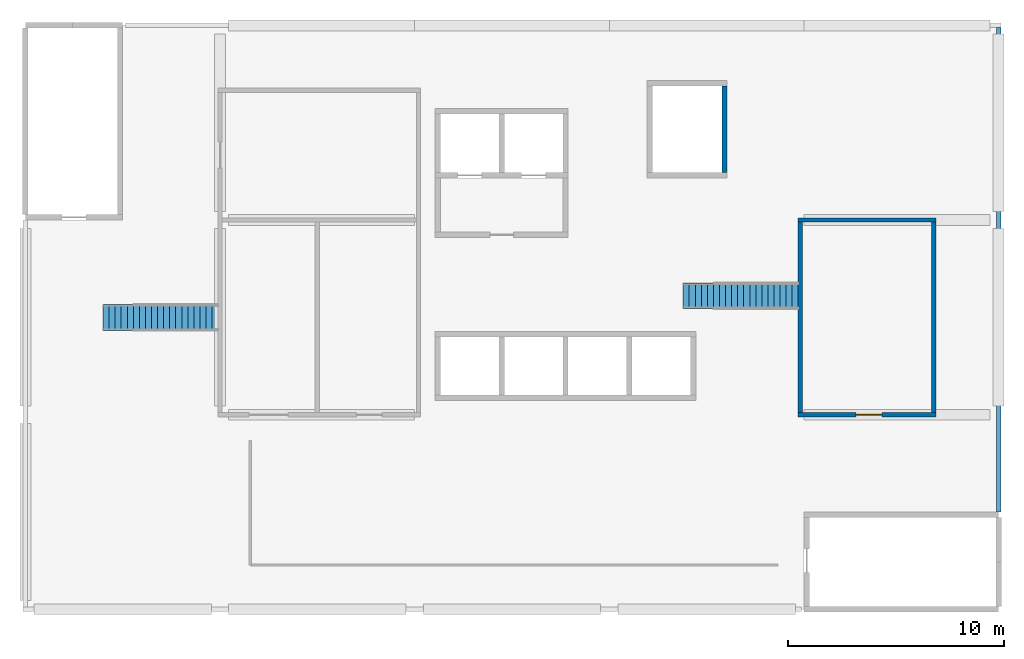
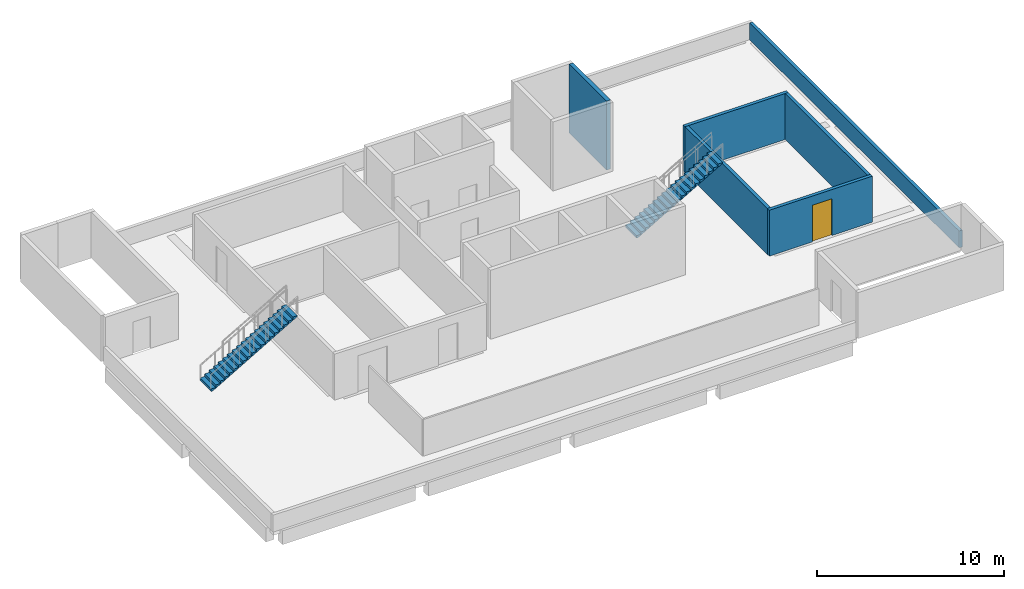
# One storey, part 2 of 3: 6 walls, 2 stair flights, 1 door, 1 opening, 2 elements without a shape of their own.
"""IFC4 building model written with IfcOpenShell, lengths in metres."""

from ifc_helpers import new_model, si_unit, direction, frame, frame_2d, origin, place, context, subcontext, project, spatial, polyline, rectangle, outline, extrude, material, layer, layer_set, type_object, element, fill, aggregate, save


model = new_model("IFC4")

# Units and contexts
model_context = context("Model", 3, precision=1e-05, world=origin(), true_north=direction((0.0, 1.0)))
body_context = subcontext(model_context, "Body", "Model", "MODEL_VIEW")
ifc_project = project(units=[si_unit("LENGTHUNIT", "METRE"), si_unit("AREAUNIT", "SQUARE_METRE"), si_unit("VOLUMEUNIT", "CUBIC_METRE"), si_unit("PLANEANGLEUNIT", "RADIAN"), si_unit("MASSUNIT", "GRAM", prefix="KILO")], contexts=[model_context])

# Site, building, storey
site_placement = place(None, origin())
site = spatial("IfcSite", under=ifc_project, at=site_placement, CompositionType="ELEMENT")
building_placement = place(site_placement, origin())
building = spatial("IfcBuilding", under=site, at=building_placement, Name="Guidao Yard Department Store", CompositionType="ELEMENT")
storey_placement = place(building_placement, frame((0.0, 0.0, 37.5)))
storey = spatial("IfcBuildingStorey", under=building, at=storey_placement, Name="RF", CompositionType="ELEMENT", Elevation=37.5)

# Wall
ifc_material_1 = material(Name="Concrete C30", Category="concrete")
ifc_layer_1 = layer(ifc_material_1, 0.199951171875)
ifc_layer_set_1 = layer_set([ifc_layer_1], Name="Parapet wall 200 C30")
wall_type_1 = type_object("IfcWallType", Name="Parapet wall 200 C30", PredefinedType="PARAPET", material=ifc_layer_set_1)
wall_1_placement = place(storey_placement, frame((171.0, 4.5, 0.0), z_axis=(0.0, 0.0, 1.0), x_axis=(0.0, 1.0, 0.0)))
element("IfcWall", 1, at=wall_1_placement, inside=storey, type_object=wall_type_1, Name="Parapet", PredefinedType="PARAPET", context=body_context, shape_type="SweptSolid", body=[
    extrude(rectangle(XDim=22.39990234375, YDim=0.199951171875, at=frame_2d((11.199951171875, 0.0))), origin(), (0.0, 0.0, 1.0), 1.10009765625),
])

# Wall, opening, door
ifc_material_2 = material(Name="Concrete C35", Category="concrete")
ifc_layer_2 = layer(ifc_material_2, 0.199951171875)
ifc_layer_set_2 = layer_set([ifc_layer_2], Name="Roof room wall 200 RC C35")
wall_type_2 = type_object("IfcWallType", Name="Roof room wall 200 RC C35", PredefinedType="SOLIDWALL", material=ifc_layer_set_2)
wall_2_placement = place(storey_placement, frame((161.72509765625, 9.0, 0.0), z_axis=(0.0, 0.0, 1.0), x_axis=(1.0, 0.0, 0.0)))
wall_2 = element("IfcWall", 2, at=wall_2_placement, inside=storey, type_object=wall_type_2, Name="pt.wall.RF.0002", PredefinedType="SOLIDWALL", context=body_context, shape_type="SweptSolid", body=[
    extrude(rectangle(XDim=6.375, YDim=0.199951171875, at=frame_2d((3.1875, 0.0))), origin(), (0.0, 0.0, 1.0), 3.0),
])
opening_placement = place(wall_2_placement, frame((3.875, 0.0, 0.0), z_axis=(0.0, 0.0, 1.0), x_axis=(-1.0, 0.0, 0.0)))
opening = element("IfcOpeningElement", 3, at=opening_placement, cuts=wall_2, Name="Opening RF-403", PredefinedType="OPENING", context=body_context, shape_type="SweptSolid", body=[
    extrude(rectangle(XDim=1.199951171875, YDim=2.39990234375, at=frame_2d((0.60009765625, 1.199951171875))), frame((0.0, 0.10986328125, 0.0), z_axis=(0.0, -1.0, 0.0), x_axis=(1.0, 0.0, 0.0)), (0.0, 0.0, 1.0), 0.219970703125),
])
ifc_material_3 = material(Name="Timber door leaf with Steel Q235 frame", Category="steel")
door_type = type_object("IfcDoorType", Name="Door 1200 x 2400 FD60 Single Leaf", OperationType="SINGLE_SWING_LEFT", PredefinedType="DOOR", material=ifc_material_3)
door_placement = place(opening_placement, origin())
door = element("IfcDoor", 4, at=door_placement, inside=storey, type_object=door_type, Name="Door RF-403", OperationType="SINGLE_SWING_LEFT", OverallHeight=2.39990234375, OverallWidth=1.199951171875, PredefinedType="DOOR", context=body_context, shape_type="SweptSolid", body=[
    extrude(rectangle(XDim=1.199951171875, YDim=2.39990234375, at=frame_2d((0.60009765625, 1.199951171875))), frame((0.0, 0.02490234375, 0.0), z_axis=(0.0, -1.0, 0.0), x_axis=(1.0, 0.0, 0.0)), (0.0, 0.0, 1.0), 0.050048828125),
])
fill(opening, door)

# Walls
wall_3_placement = place(storey_placement, frame((161.72509765625, 18.0, 0.0), z_axis=(0.0, 0.0, 1.0), x_axis=(1.0, 0.0, 0.0)))
element("IfcWall", 5, at=wall_3_placement, inside=storey, type_object=wall_type_2, Name="pt.wall.RF.0004", PredefinedType="SOLIDWALL", context=body_context, shape_type="SweptSolid", body=[
    extrude(rectangle(XDim=6.375, YDim=0.199951171875, at=frame_2d((3.1875, 0.0))), origin(), (0.0, 0.0, 1.0), 3.0),
])
for number, where, z_axis, x_axis, name in (
    (6, (161.824951171875, 9.10009765625, 0.0), (0.0, 0.0, 1.0), (0.0, 1.0, 0.0), "pt.wall.RF.0009"),
    (7, (168.0, 9.10009765625, 0.0), (0.0, 0.0, 1.0), (0.0, 1.0, 0.0), "pt.wall.RF.0010"),
):
    element("IfcWall", number, at=place(storey_placement, frame(where, z_axis=z_axis, x_axis=x_axis)), inside=storey, type_object=wall_type_2, Name=name, PredefinedType="SOLIDWALL", context=body_context, shape_type="SweptSolid", body=[
        extrude(rectangle(XDim=8.7998046875, YDim=0.199951171875, at=frame_2d((4.39990234375, 0.0))), origin(), (0.0, 0.0, 1.0), 3.0),
    ])
ifc_material_4 = material(Name="Concrete C40", Category="concrete")
ifc_layer_3 = layer(ifc_material_4, 0.25)
ifc_layer_set_3 = layer_set([ifc_layer_3], Name="Wall RC 250 C40 stair and shaft")
wall_type_3 = type_object("IfcWallType", Name="Wall RC 250 C40 stair and shaft", PredefinedType="SHEAR", material=ifc_layer_set_3)
wall_4_placement = place(storey_placement, frame((158.324951171875, 20.199951171875, 0.0), z_axis=(0.0, 0.0, 1.0), x_axis=(0.0, 1.0, 0.0)))
element("IfcWall", 8, at=wall_4_placement, inside=storey, type_object=wall_type_3, Name="Lift shaft wall OS1", PredefinedType="SHEAR", context=body_context, shape_type="SweptSolid", body=[
    extrude(rectangle(XDim=4.0, YDim=0.25, at=frame_2d((2.0, 0.0))), origin(), (0.0, 0.0, 1.0), 4.5),
])

# Stair, stair flight
ifc_material_5 = material(Name="Steel Q355 grade B", Category="steel")
stair_type = type_object("IfcStairType", Name="Roof access stair 1200 wide steel", PredefinedType="STRAIGHT_RUN_STAIR", material=ifc_material_5)
stair_1_placement = place(storey_placement, origin())
stair_1 = element("IfcStair", 9, at=stair_1_placement, inside=storey, type_object=stair_type, Name="Roof access stair 1 RF to ROOF", PredefinedType="STRAIGHT_RUN_STAIR")
ifc_material_6 = material(Name="Steel Q355 grade B", Category="steel")
stair_flight_type = type_object("IfcStairFlightType", Name="Roof access stair flight steel 1200 wide 20 risers x 280 going", PredefinedType="STRAIGHT", material=ifc_material_6)
stair_flight_1_placement = place(storey_placement, frame((129.590087890625, 13.5, 0.0), z_axis=(0.0, 0.0, 1.0), x_axis=(1.0, 0.0, 0.0)))
stair_flight_1 = element("IfcStairFlight", 10, at=stair_flight_1_placement, type_object=stair_flight_type, Name="RA1 flight 1", NumberOfRisers=20, NumberOfTreads=19, PredefinedType="STRAIGHT", RiserHeight=0.1625, TreadLength=0.28, context=body_context, shape_type="SweptSolid", body=[
    extrude(outline(polyline([(0.0, 0.0), (0.0, 0.16259765625), (0.280029296875, 0.16259765625), (0.280029296875, 0.324951171875), (0.56005859375, 0.324951171875), (0.56005859375, 0.487548828125), (0.840087890625, 0.487548828125), (0.840087890625, 0.64990234375), (1.1201171875, 0.64990234375), (1.1201171875, 0.8125), (1.39990234375, 0.8125), (1.39990234375, 0.97509765625), (1.679931640625, 0.97509765625), (1.679931640625, 1.137451171875), (1.9599609375, 1.137451171875), (1.9599609375, 1.300048828125), (2.239990234375, 1.300048828125), (2.239990234375, 1.46240234375), (2.52001953125, 1.46240234375), (2.52001953125, 1.625), (2.800048828125, 1.625), (2.800048828125, 1.78759765625), (3.080078125, 1.78759765625), (3.080078125, 1.949951171875), (3.360107421875, 1.949951171875), (3.360107421875, 2.112548828125), (3.639892578125, 2.112548828125), (3.639892578125, 2.27490234375), (3.919921875, 2.27490234375), (3.919921875, 2.4375), (4.199951171875, 2.4375), (4.199951171875, 2.60009765625), (4.47998046875, 2.60009765625), (4.47998046875, 2.762451171875), (4.760009765625, 2.762451171875), (4.760009765625, 2.925048828125), (5.0400390625, 2.925048828125), (5.0400390625, 3.08740234375), (5.320068359375, 3.08740234375), (5.320068359375, 3.25), (5.320068359375, 3.03564453125), (0.089599609375, 0.0), (0.0, 0.0)])), frame((0.0, 0.60009765625, 0.0), z_axis=(0.0, -1.0, 0.0), x_axis=(1.0, 0.0, 0.0)), (0.0, 0.0, 1.0), 1.199951171875),
])
aggregate(stair_1, [stair_flight_1])

stair_2_placement = place(storey_placement, origin())
stair_2 = element("IfcStair", 11, at=stair_2_placement, inside=storey, type_object=stair_type, Name="Roof access stair 2 RF to ROOF", PredefinedType="STRAIGHT_RUN_STAIR")
stair_flight_2_placement = place(storey_placement, frame((156.4150390625, 14.5, 0.0), z_axis=(0.0, 0.0, 1.0), x_axis=(1.0, 0.0, 0.0)))
stair_flight_2 = element("IfcStairFlight", 12, at=stair_flight_2_placement, type_object=stair_flight_type, Name="RA2 flight 1", NumberOfRisers=20, NumberOfTreads=19, PredefinedType="STRAIGHT", RiserHeight=0.1625, TreadLength=0.28, context=body_context, shape_type="SweptSolid", body=[
    extrude(outline(polyline([(0.0, 0.0), (0.0, 0.16259765625), (0.280029296875, 0.16259765625), (0.280029296875, 0.324951171875), (0.56005859375, 0.324951171875), (0.56005859375, 0.487548828125), (0.840087890625, 0.487548828125), (0.840087890625, 0.64990234375), (1.1201171875, 0.64990234375), (1.1201171875, 0.8125), (1.39990234375, 0.8125), (1.39990234375, 0.97509765625), (1.679931640625, 0.97509765625), (1.679931640625, 1.137451171875), (1.9599609375, 1.137451171875), (1.9599609375, 1.300048828125), (2.239990234375, 1.300048828125), (2.239990234375, 1.46240234375), (2.52001953125, 1.46240234375), (2.52001953125, 1.625), (2.800048828125, 1.625), (2.800048828125, 1.78759765625), (3.080078125, 1.78759765625), (3.080078125, 1.949951171875), (3.360107421875, 1.949951171875), (3.360107421875, 2.112548828125), (3.639892578125, 2.112548828125), (3.639892578125, 2.27490234375), (3.919921875, 2.27490234375), (3.919921875, 2.4375), (4.199951171875, 2.4375), (4.199951171875, 2.60009765625), (4.47998046875, 2.60009765625), (4.47998046875, 2.762451171875), (4.760009765625, 2.762451171875), (4.760009765625, 2.925048828125), (5.0400390625, 2.925048828125), (5.0400390625, 3.08740234375), (5.320068359375, 3.08740234375), (5.320068359375, 3.25), (5.320068359375, 3.03564453125), (0.089599609375, 0.0), (0.0, 0.0)])), frame((0.0, 0.60009765625, 0.0), z_axis=(0.0, -1.0, 0.0), x_axis=(1.0, 0.0, 0.0)), (0.0, 0.0, 1.0), 1.199951171875),
])
aggregate(stair_2, [stair_flight_2])

save(model, "model.ifc")
